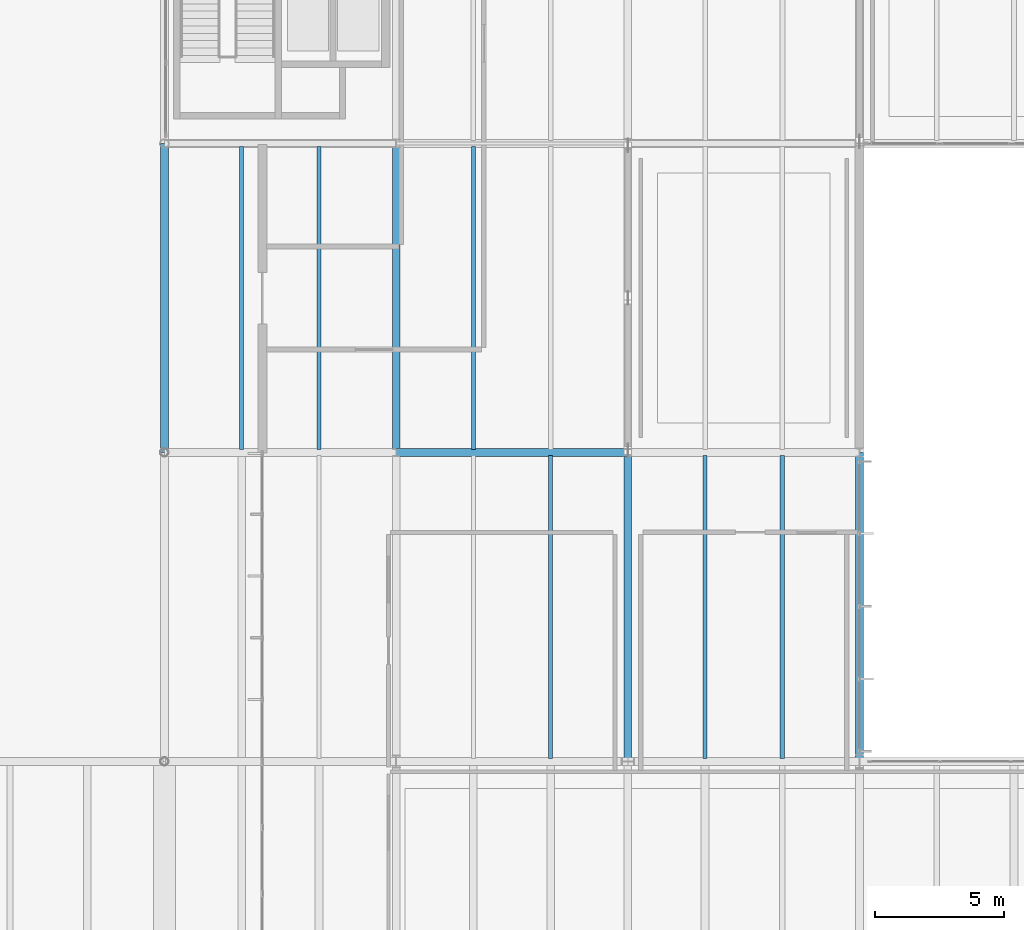
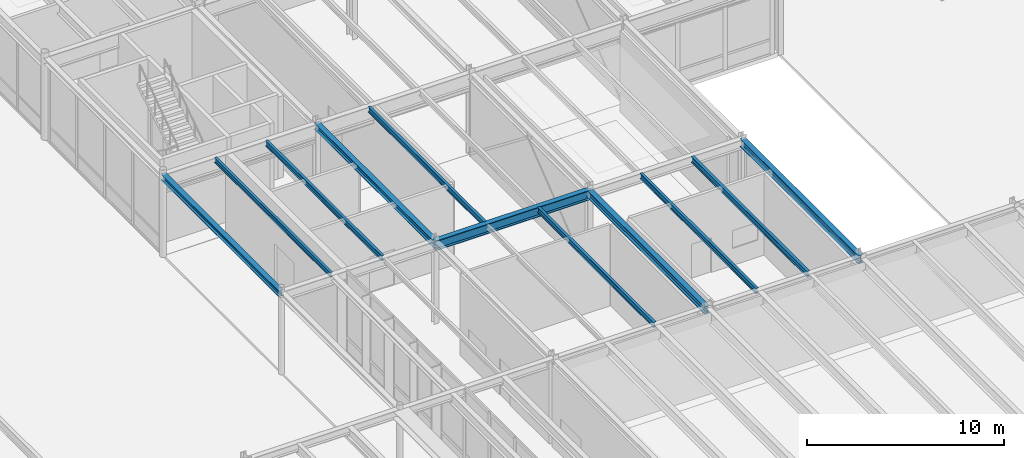
# One storey, part 51 of 143: 11 beams.
"""IFC4 building model written with IfcOpenShell, lengths in metres."""

from ifc_helpers import new_model, si_unit, direction, frame, origin, origin_2d, place, context, subcontext, project, spatial, i_section, extrude, material, material_profile, profile_set, type_object, element, save


model = new_model("IFC4")

# Units and contexts
model_context = context("Model", 3, precision=1e-05, world=origin(), true_north=direction((0.0, 1.0)))
body_context = subcontext(model_context, "Body", "Model", "MODEL_VIEW")
ifc_project = project(units=[si_unit("LENGTHUNIT", "METRE"), si_unit("AREAUNIT", "SQUARE_METRE"), si_unit("VOLUMEUNIT", "CUBIC_METRE"), si_unit("PLANEANGLEUNIT", "RADIAN"), si_unit("MASSUNIT", "GRAM", prefix="KILO")], contexts=[model_context])

# Site, building, storey
site_placement = place(None, origin())
site = spatial("IfcSite", under=ifc_project, at=site_placement, CompositionType="ELEMENT")
building_placement = place(site_placement, origin())
building = spatial("IfcBuilding", under=site, at=building_placement, Name="Montelvaro Courts of Justice", CompositionType="ELEMENT")
storey_placement = place(building_placement, origin())
storey = spatial("IfcBuildingStorey", under=building, at=storey_placement, Name="L00", CompositionType="ELEMENT", Elevation=0.0)

# Beams
ifc_material = material(Name="Steel S355", Category="steel")
ifc_material_profile_1 = material_profile(ifc_material, i_section(OverallWidth=0.300048828125, OverallDepth=0.35009765625, WebThickness=0.010009765625, FlangeThickness=0.017578125, at=origin_2d()), Name="HEA 360")
ifc_profile_set_1 = profile_set([ifc_material_profile_1], Name="Steel S355")
beam_type_1 = type_object("IfcBeamType", Name="Beam_HEA360", PredefinedType="USERDEFINED", material=ifc_profile_set_1)
beam_1_placement = place(storey_placement, frame((99.0, 54.0, 4.945068359375), z_axis=(0.0, 1.0, 0.0), x_axis=(-1.0, 0.0, 0.0)))
element("IfcBeam", 1, at=beam_1_placement, inside=storey, type_object=beam_type_1, Name="Beam B-16 L00", ObjectType="GIRDER", PredefinedType="USERDEFINED", context=body_context, shape_type="SweptSolid", body=[
    extrude(i_section(OverallWidth=0.300048828125, OverallDepth=0.35009765625, WebThickness=0.010009765625, FlangeThickness=0.017578125, at=origin_2d()), origin(), (0.0, 0.0, 1.0), 12.0),
])
ifc_material_profile_2 = material_profile(ifc_material, i_section(OverallWidth=0.300048828125, OverallDepth=0.389892578125, WebThickness=0.010986328125, FlangeThickness=0.01904296875, at=origin_2d()), Name="HEA 400")
ifc_profile_set_2 = profile_set([ifc_material_profile_2], Name="Steel S355")
beam_type_2 = type_object("IfcBeamType", Name="Beam_HEA400", PredefinedType="USERDEFINED", material=ifc_profile_set_2)
beam_2_placement = place(storey_placement, frame((108.0, 54.0, 4.925048828125), z_axis=(0.0, 1.0, 0.0), x_axis=(-1.0, 0.0, 0.0)))
element("IfcBeam", 2, at=beam_2_placement, inside=storey, type_object=beam_type_2, Name="Beam B-17 L00", ObjectType="GIRDER", PredefinedType="USERDEFINED", context=body_context, shape_type="SweptSolid", body=[
    extrude(i_section(OverallWidth=0.300048828125, OverallDepth=0.389892578125, WebThickness=0.010986328125, FlangeThickness=0.01904296875, at=origin_2d()), origin(), (0.0, 0.0, 1.0), 12.0),
])
ifc_material_profile_3 = material_profile(ifc_material, i_section(OverallWidth=0.300048828125, OverallDepth=0.43994140625, WebThickness=0.011474609375, FlangeThickness=0.02099609375, at=origin_2d()), Name="HEA 450")
ifc_profile_set_3 = profile_set([ifc_material_profile_3], Name="Steel S355")
beam_type_3 = type_object("IfcBeamType", Name="Beam_HEA450", PredefinedType="USERDEFINED", material=ifc_profile_set_3)
beam_3_placement = place(storey_placement, frame((117.0, 42.0, 4.89990234375), z_axis=(0.0, 1.0, 0.0), x_axis=(-1.0, 0.0, 0.0)))
element("IfcBeam", 3, at=beam_3_placement, inside=storey, type_object=beam_type_3, Name="Beam B-18 L00", ObjectType="GIRDER", PredefinedType="USERDEFINED", context=body_context, shape_type="SweptSolid", body=[
    extrude(i_section(OverallWidth=0.300048828125, OverallDepth=0.43994140625, WebThickness=0.011474609375, FlangeThickness=0.02099609375, at=origin_2d()), origin(), (0.0, 0.0, 1.0), 12.0),
])
ifc_material_profile_4 = material_profile(ifc_material, i_section(OverallWidth=0.300048828125, OverallDepth=0.489990234375, WebThickness=0.011962890625, FlangeThickness=0.02294921875, at=origin_2d()), Name="HEA 500")
ifc_profile_set_4 = profile_set([ifc_material_profile_4], Name="Steel S355")
beam_type_4 = type_object("IfcBeamType", Name="Beam_HEA500", PredefinedType="USERDEFINED", material=ifc_profile_set_4)
beam_4_placement = place(storey_placement, frame((126.0, 42.0, 4.875), z_axis=(0.0, 1.0, 0.0), x_axis=(-1.0, 0.0, 0.0)))
element("IfcBeam", 4, at=beam_4_placement, inside=storey, type_object=beam_type_4, Name="Beam B-19 L00", ObjectType="GIRDER", PredefinedType="USERDEFINED", context=body_context, shape_type="SweptSolid", body=[
    extrude(i_section(OverallWidth=0.300048828125, OverallDepth=0.489990234375, WebThickness=0.011962890625, FlangeThickness=0.02294921875, at=origin_2d()), origin(), (0.0, 0.0, 1.0), 12.0),
])
ifc_material_profile_5 = material_profile(ifc_material, i_section(OverallWidth=0.300048828125, OverallDepth=0.60009765625, WebThickness=0.015380859375, FlangeThickness=0.030029296875, at=origin_2d()), Name="HEB 600")
ifc_profile_set_5 = profile_set([ifc_material_profile_5], Name="Steel S355")
beam_type_5 = type_object("IfcBeamType", Name="Beam_HEB600", PredefinedType="USERDEFINED", material=ifc_profile_set_5)
beam_5_placement = place(storey_placement, frame((108.0, 54.0, 4.820068359375), z_axis=(1.0, 0.0, 0.0), x_axis=(0.0, 1.0, 0.0)))
element("IfcBeam", 5, at=beam_5_placement, inside=storey, type_object=beam_type_5, Name="Beam B-26 L00", ObjectType="GIRDER", PredefinedType="USERDEFINED", context=body_context, shape_type="SweptSolid", body=[
    extrude(i_section(OverallWidth=0.300048828125, OverallDepth=0.60009765625, WebThickness=0.015380859375, FlangeThickness=0.030029296875, at=origin_2d()), origin(), (0.0, 0.0, 1.0), 9.0),
])
ifc_material_profile_6 = material_profile(ifc_material, i_section(OverallWidth=0.14990234375, OverallDepth=0.300048828125, WebThickness=0.007080078125, FlangeThickness=0.0107421875, at=origin_2d()), Name="IPE 300")
ifc_profile_set_6 = profile_set([ifc_material_profile_6], Name="Steel S355")
beam_type_6 = type_object("IfcBeamType", Name="Beam_IPE300", PredefinedType="BEAM", material=ifc_profile_set_6)
beam_6_placement = place(storey_placement, frame((102.0, 54.110107421875, 4.969970703125), z_axis=(0.0, 1.0, 0.0), x_axis=(-1.0, 0.0, 0.0)))
element("IfcBeam", 6, at=beam_6_placement, inside=storey, type_object=beam_type_6, Name="Beam B-05 L00", PredefinedType="BEAM", context=body_context, shape_type="SweptSolid", body=[
    extrude(i_section(OverallWidth=0.14990234375, OverallDepth=0.300048828125, WebThickness=0.007080078125, FlangeThickness=0.0107421875, at=origin_2d()), origin(), (0.0, 0.0, 1.0), 11.77978515625),
])
ifc_material_profile_7 = material_profile(ifc_material, i_section(OverallWidth=0.159912109375, OverallDepth=0.330078125, WebThickness=0.007568359375, FlangeThickness=0.011474609375, at=origin_2d()), Name="IPE 330")
ifc_profile_set_7 = profile_set([ifc_material_profile_7], Name="Steel S355")
beam_type_7 = type_object("IfcBeamType", Name="Beam_IPE330", PredefinedType="BEAM", material=ifc_profile_set_7)
for number, where, z_axis, x_axis, name in (
    (7, (105.0, 54.110107421875, 4.955078125), (0.0, 1.0, 0.0), (-1.0, 0.0, 0.0), "Beam B-06 L00"),
    (8, (114.0, 42.110107421875, 4.955078125), (0.0, 1.0, 0.0), (-1.0, 0.0, 0.0), "Beam B-06 L00"),
    (9, (111.0, 54.110107421875, 4.955078125), (0.0, 1.0, 0.0), (-1.0, 0.0, 0.0), "Beam B-06 L00"),
    (10, (120.0, 42.110107421875, 4.955078125), (0.0, 1.0, 0.0), (-1.0, 0.0, 0.0), "Beam B-06 L00"),
):
    element("IfcBeam", number, at=place(storey_placement, frame(where, z_axis=z_axis, x_axis=x_axis)), inside=storey, type_object=beam_type_7, Name=name, PredefinedType="BEAM", context=body_context, shape_type="SweptSolid", body=[
        extrude(i_section(OverallWidth=0.159912109375, OverallDepth=0.330078125, WebThickness=0.007568359375, FlangeThickness=0.011474609375, at=origin_2d()), origin(), (0.0, 0.0, 1.0), 11.77978515625),
    ])
ifc_material_profile_8 = material_profile(ifc_material, i_section(OverallWidth=0.169921875, OverallDepth=0.360107421875, WebThickness=0.008056640625, FlangeThickness=0.0126953125, at=origin_2d()), Name="IPE 360")
ifc_profile_set_8 = profile_set([ifc_material_profile_8], Name="Steel S355")
beam_type_8 = type_object("IfcBeamType", Name="Beam_IPE360", PredefinedType="BEAM", material=ifc_profile_set_8)
beam_7_placement = place(storey_placement, frame((123.0, 42.110107421875, 4.93994140625), z_axis=(0.0, 1.0, 0.0), x_axis=(-1.0, 0.0, 0.0)))
element("IfcBeam", 11, at=beam_7_placement, inside=storey, type_object=beam_type_8, Name="Beam B-07 L00", PredefinedType="BEAM", context=body_context, shape_type="SweptSolid", body=[
    extrude(i_section(OverallWidth=0.169921875, OverallDepth=0.360107421875, WebThickness=0.008056640625, FlangeThickness=0.0126953125, at=origin_2d()), origin(), (0.0, 0.0, 1.0), 11.77978515625),
])

save(model, "model.ifc")
